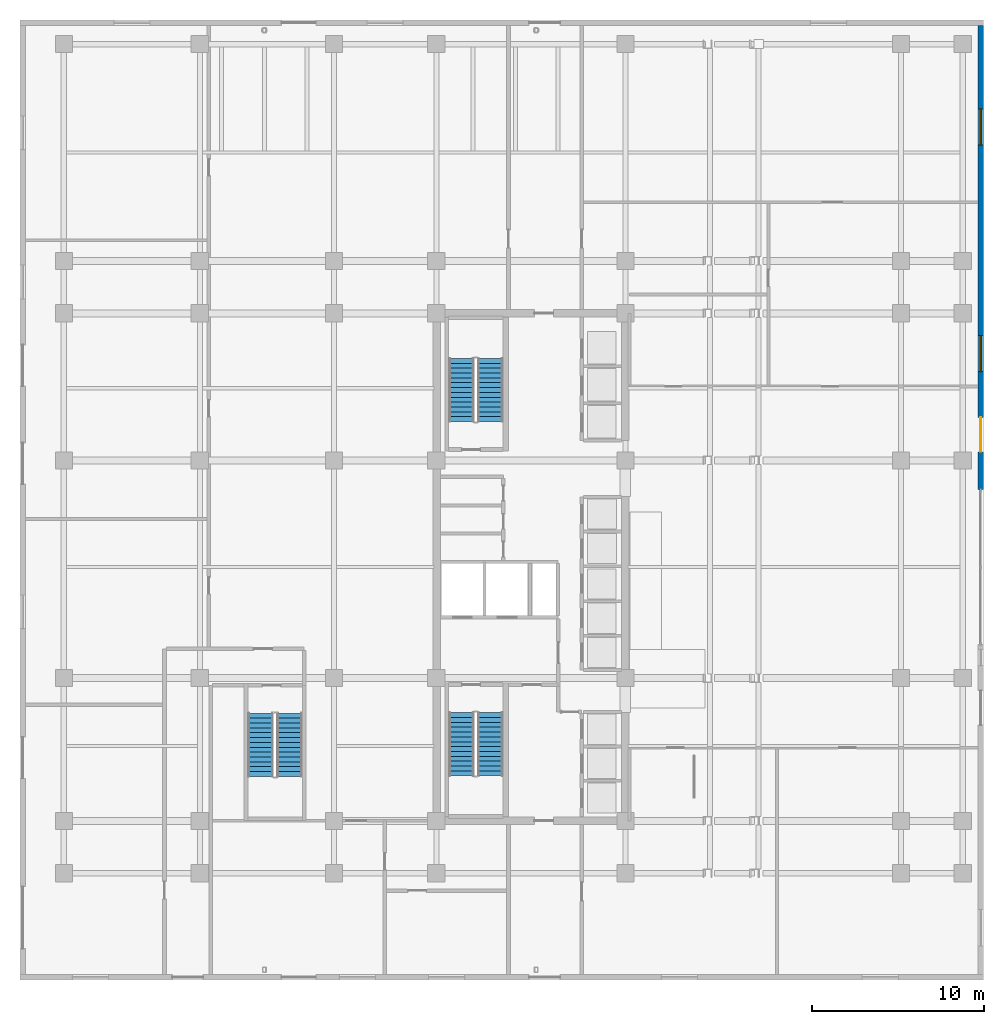
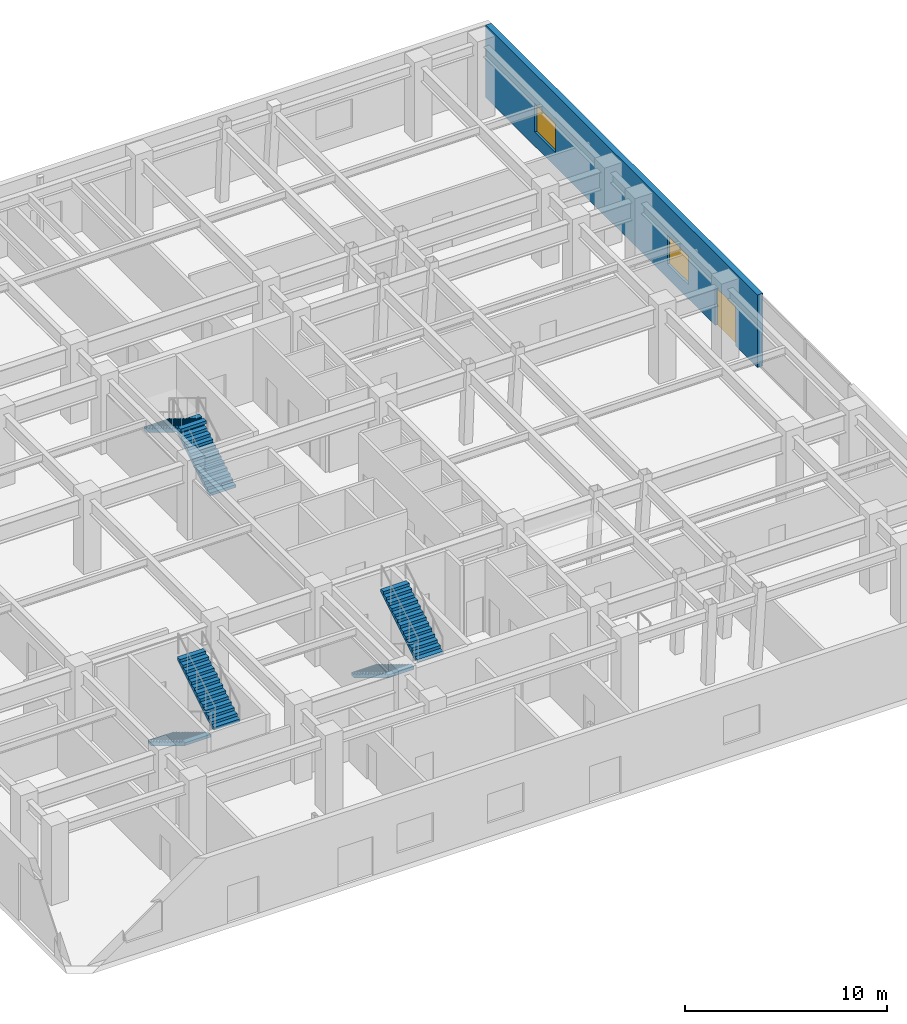
# One storey, part 11 of 13: 6 stair flights, 2 windows, 1 door, 1 wall, 3 openings, 3 elements without a shape of their own.
"""IFC4 building model written with IfcOpenShell, lengths in metres."""

from ifc_helpers import new_model, si_unit, direction, frame, frame_2d, origin, place, context, subcontext, project, spatial, polyline, rectangle, outline, extrude, material, layer, layer_set, type_object, element, fill, aggregate, save


model = new_model("IFC4")

# Units and contexts
model_context = context("Model", 3, precision=1e-05, world=origin(), true_north=direction((0.0, 1.0)))
body_context = subcontext(model_context, "Body", "Model", "MODEL_VIEW")
ifc_project = project(units=[si_unit("LENGTHUNIT", "METRE"), si_unit("AREAUNIT", "SQUARE_METRE"), si_unit("VOLUMEUNIT", "CUBIC_METRE"), si_unit("PLANEANGLEUNIT", "RADIAN"), si_unit("MASSUNIT", "GRAM", prefix="KILO")], contexts=[model_context])

# Site, building, storey
site_placement = place(None, origin())
site = spatial("IfcSite", under=ifc_project, at=site_placement, CompositionType="ELEMENT")
building_placement = place(site_placement, origin())
building = spatial("IfcBuilding", under=site, at=building_placement, Name="Ochreholt Gables", CompositionType="ELEMENT")
storey_placement = place(building_placement, origin())
storey = spatial("IfcBuildingStorey", under=building, at=storey_placement, Name="L00", CompositionType="ELEMENT", Elevation=0.0)

# Wall, openings, door, windows
ifc_material_1 = material(Name="Precast concrete 40 MPa", Category="concrete")
ifc_layer = layer(ifc_material_1, 0.320068359375, Name="Precast concrete 40 MPa")
ifc_layer_set = layer_set([ifc_layer], Name="Precast concrete 40 MPa")
wall_type = type_object("IfcWallType", Name="WALL-EXT-320", PredefinedType="SOLIDWALL", material=ifc_layer_set)
wall_placement = place(storey_placement, frame((55.840087890625, 28.5, 0.0), z_axis=(0.0, 0.0, 1.0), x_axis=(0.0, 1.0, 0.0)))
wall = element("IfcWall", 1, at=wall_placement, inside=storey, type_object=wall_type, Name="L00 North-East Exterior Wall", PredefinedType="SOLIDWALL", context=body_context, shape_type="SweptSolid", body=[
    extrude(rectangle(XDim=26.97998046875, YDim=0.320068359375, at=frame_2d((13.489990234375, 0.0))), origin(), (0.0, 0.0, 1.0), 4.389892578125),
])
opening_1_placement = place(wall_placement, frame((2.199951171875, 0.0, 0.0)))
opening_1 = element("IfcOpeningElement", 2, at=opening_1_placement, cuts=wall, Name="Opening D-EX1", PredefinedType="OPENING", context=body_context, shape_type="SweptSolid", body=[
    extrude(rectangle(XDim=2.0, YDim=2.35009765625, at=frame_2d((1.0, 1.175048828125))), frame((0.0, 0.169921875, 0.0), z_axis=(0.0, -1.0, 0.0), x_axis=(1.0, 0.0, 0.0)), (0.0, 0.0, 1.0), 0.340087890625),
])
opening_2_placement = place(wall_placement, frame((6.85498046875, 0.0, 0.85009765625)))
opening_2 = element("IfcOpeningElement", 3, at=opening_2_placement, cuts=wall, Name="Opening WN-4", PredefinedType="OPENING", context=body_context, shape_type="SweptSolid", body=[
    extrude(rectangle(XDim=2.10009765625, YDim=1.75, at=frame_2d((1.050048828125, 0.875))), frame((0.0, 0.169921875, 0.0), z_axis=(0.0, -1.0, 0.0), x_axis=(1.0, 0.0, 0.0)), (0.0, 0.0, 1.0), 0.340087890625),
])
opening_3_placement = place(wall_placement, frame((20.030029296875, 0.0, 0.85009765625)))
opening_3 = element("IfcOpeningElement", 4, at=opening_3_placement, cuts=wall, Name="Opening WN-4", PredefinedType="OPENING", context=body_context, shape_type="SweptSolid", body=[
    extrude(rectangle(XDim=2.10009765625, YDim=1.75, at=frame_2d((1.050048828125, 0.875))), frame((0.0, 0.169921875, 0.0), z_axis=(0.0, -1.0, 0.0), x_axis=(1.0, 0.0, 0.0)), (0.0, 0.0, 1.0), 0.340087890625),
])
ifc_material_2 = material(Name="Thermally Broken Insulated Steel and Glass Door", Category="steel")
door_type = type_object("IfcDoorType", Name="DR-EXT-ENT2000", OperationType="NOTDEFINED", PredefinedType="DOOR", material=ifc_material_2)
door_placement = place(opening_1_placement, frame((2.0, 0.0, 0.0), z_axis=(0.0, 0.0, 1.0), x_axis=(-1.0, 0.0, 0.0)))
door = element("IfcDoor", 5, at=door_placement, inside=storey, type_object=door_type, Name="L00 East Main Entrance Door North", OperationType="SINGLE_SWING_RIGHT", OverallHeight=2.35009765625, OverallWidth=2.0, PredefinedType="DOOR", context=body_context, shape_type="SweptSolid", body=[
    extrude(rectangle(XDim=2.0, YDim=2.35009765625, at=frame_2d((1.0, 1.175048828125))), frame((0.0, 0.02490234375, 0.0), z_axis=(0.0, -1.0, 0.0), x_axis=(1.0, 0.0, 0.0)), (0.0, 0.0, 1.0), 0.050048828125),
])
fill(opening_1, door)
ifc_material_3 = material(Name="Triple-Glazed Thermally Broken Aluminium Window", Category="aluminium")
window_type = type_object("IfcWindowType", Name="WIN-CLN-2100", PartitioningType="SINGLE_PANEL", PredefinedType="WINDOW", material=ifc_material_3)
window_1_placement = place(opening_2_placement, origin())
window_1 = element("IfcWindow", 6, at=window_1_placement, inside=storey, type_object=window_type, Name="L00 Window W-EXT-EN-L00-1", OverallHeight=1.75, OverallWidth=2.10009765625, PartitioningType="SINGLE_PANEL", PredefinedType="WINDOW", context=body_context, shape_type="SweptSolid", body=[
    extrude(rectangle(XDim=2.10009765625, YDim=1.75, at=frame_2d((1.050048828125, 0.875))), frame((0.0, 0.030029296875, 0.0), z_axis=(0.0, -1.0, 0.0), x_axis=(1.0, 0.0, 0.0)), (0.0, 0.0, 1.0), 0.06005859375),
])
fill(opening_2, window_1)
window_2_placement = place(opening_3_placement, origin())
window_2 = element("IfcWindow", 7, at=window_2_placement, inside=storey, type_object=window_type, Name="L00 Window W-EXT-EN-L00-2", OverallHeight=1.75, OverallWidth=2.10009765625, PartitioningType="SINGLE_PANEL", PredefinedType="WINDOW", context=body_context, shape_type="SweptSolid", body=[
    extrude(rectangle(XDim=2.10009765625, YDim=1.75, at=frame_2d((1.050048828125, 0.875))), frame((0.0, 0.030029296875, 0.0), z_axis=(0.0, -1.0, 0.0), x_axis=(1.0, 0.0, 0.0)), (0.0, 0.0, 1.0), 0.06005859375),
])
fill(opening_3, window_2)

# Stair, stair flights
ifc_material_4 = material(Name="Concrete 40 MPa", Category="concrete")
stair_type_1 = type_object("IfcStairType", Name="STAIR-CORE-ST-1", PredefinedType="HALF_TURN_STAIR", material=ifc_material_4)
stair_1_placement = place(storey_placement, origin())
stair_1 = element("IfcStair", 8, at=stair_1_placement, inside=storey, type_object=stair_type_1, Name="L00 Core Exit Stair 1", PredefinedType="HALF_TURN_STAIR")
stair_flight_type = type_object("IfcStairFlightType", Name="FLIGHT-ST-1480-1714", PredefinedType="STRAIGHT", material=ifc_material_4)
stair_flight_1_placement = place(storey_placement, frame((25.659912109375, 15.5400390625, 0.0), z_axis=(0.0, 0.0, 1.0), x_axis=(0.0, -1.0, 0.0)))
stair_flight_1 = element("IfcStairFlight", 9, at=stair_flight_1_placement, type_object=stair_flight_type, Name="ST-1 flight 1", NumberOfRisers=14, NumberOfTreads=13, PredefinedType="STRAIGHT", RiserHeight=0.171428571, TreadLength=0.282, context=body_context, shape_type="SweptSolid", body=[
    extrude(outline(polyline([(0.0, 0.0), (0.0, 0.17138671875), (0.281982421875, 0.17138671875), (0.281982421875, 0.3427734375), (0.56396484375, 0.3427734375), (0.56396484375, 0.514404296875), (0.845947265625, 0.514404296875), (0.845947265625, 0.685791015625), (1.1279296875, 0.685791015625), (1.1279296875, 0.857177734375), (1.409912109375, 0.857177734375), (1.409912109375, 1.028564453125), (1.69189453125, 1.028564453125), (1.69189453125, 1.199951171875), (1.97412109375, 1.199951171875), (1.97412109375, 1.371337890625), (2.256103515625, 1.371337890625), (2.256103515625, 1.54296875), (2.5380859375, 1.54296875), (2.5380859375, 1.71435546875), (2.820068359375, 1.71435546875), (2.820068359375, 1.8857421875), (3.10205078125, 1.8857421875), (3.10205078125, 2.05712890625), (3.384033203125, 2.05712890625), (3.384033203125, 2.228515625), (3.666015625, 2.228515625), (3.666015625, 2.39990234375), (3.666015625, 2.05322265625), (0.28857421875, 0.0), (0.0, 0.0)])), frame((0.0, 0.739990234375, 0.0), z_axis=(0.0, -1.0, 0.0), x_axis=(1.0, 0.0, 0.0)), (0.0, 0.0, 1.0), 1.47998046875),
])
stair_flight_2_placement = place(storey_placement, frame((27.340087890625, 11.8740234375, 2.39990234375), z_axis=(0.0, 0.0, 1.0), x_axis=(0.0, 1.0, 0.0)))
stair_flight_2 = element("IfcStairFlight", 10, at=stair_flight_2_placement, type_object=stair_flight_type, Name="ST-1 flight 2", NumberOfRisers=14, NumberOfTreads=13, PredefinedType="STRAIGHT", RiserHeight=0.171428571, TreadLength=0.282, context=body_context, shape_type="SweptSolid", body=[
    extrude(outline(polyline([(0.0, 0.0), (0.0, 0.17138671875), (0.281982421875, 0.17138671875), (0.281982421875, 0.3427734375), (0.56396484375, 0.3427734375), (0.56396484375, 0.514404296875), (0.845947265625, 0.514404296875), (0.845947265625, 0.685791015625), (1.1279296875, 0.685791015625), (1.1279296875, 0.857177734375), (1.409912109375, 0.857177734375), (1.409912109375, 1.028564453125), (1.69189453125, 1.028564453125), (1.69189453125, 1.199951171875), (1.97412109375, 1.199951171875), (1.97412109375, 1.371337890625), (2.256103515625, 1.371337890625), (2.256103515625, 1.54296875), (2.5380859375, 1.54296875), (2.5380859375, 1.71435546875), (2.820068359375, 1.71435546875), (2.820068359375, 1.8857421875), (3.10205078125, 1.8857421875), (3.10205078125, 2.05712890625), (3.384033203125, 2.05712890625), (3.384033203125, 2.228515625), (3.666015625, 2.228515625), (3.666015625, 2.39990234375), (3.666015625, 2.05322265625), (0.28857421875, 0.0), (0.0, 0.0)])), frame((0.0, 0.739990234375, 0.0), z_axis=(0.0, -1.0, 0.0), x_axis=(1.0, 0.0, 0.0)), (0.0, 0.0, 1.0), 1.47998046875),
])
aggregate(stair_1, [stair_flight_1, stair_flight_2])

stair_type_2 = type_object("IfcStairType", Name="STAIR-CORE-ST-2", PredefinedType="HALF_TURN_STAIR", material=ifc_material_4)
stair_2_placement = place(storey_placement, origin())
stair_2 = element("IfcStair", 11, at=stair_2_placement, inside=storey, type_object=stair_type_2, Name="L00 Core Exit Stair 2", PredefinedType="HALF_TURN_STAIR")
stair_flight_3_placement = place(storey_placement, frame((27.340087890625, 32.4599609375, 0.0), z_axis=(0.0, 0.0, 1.0), x_axis=(0.0, 1.0, 0.0)))
stair_flight_3 = element("IfcStairFlight", 12, at=stair_flight_3_placement, type_object=stair_flight_type, Name="ST-2 flight 1", NumberOfRisers=14, NumberOfTreads=13, PredefinedType="STRAIGHT", RiserHeight=0.171428571, TreadLength=0.282, context=body_context, shape_type="SweptSolid", body=[
    extrude(outline(polyline([(0.0, 0.0), (0.0, 0.17138671875), (0.281982421875, 0.17138671875), (0.281982421875, 0.3427734375), (0.56396484375, 0.3427734375), (0.56396484375, 0.514404296875), (0.845947265625, 0.514404296875), (0.845947265625, 0.685791015625), (1.1279296875, 0.685791015625), (1.1279296875, 0.857177734375), (1.409912109375, 0.857177734375), (1.409912109375, 1.028564453125), (1.69189453125, 1.028564453125), (1.69189453125, 1.199951171875), (1.97412109375, 1.199951171875), (1.97412109375, 1.371337890625), (2.256103515625, 1.371337890625), (2.256103515625, 1.54296875), (2.5380859375, 1.54296875), (2.5380859375, 1.71435546875), (2.820068359375, 1.71435546875), (2.820068359375, 1.8857421875), (3.10205078125, 1.8857421875), (3.10205078125, 2.05712890625), (3.384033203125, 2.05712890625), (3.384033203125, 2.228515625), (3.666015625, 2.228515625), (3.666015625, 2.39990234375), (3.666015625, 2.05322265625), (0.28857421875, 0.0), (0.0, 0.0)])), frame((0.0, 0.739990234375, 0.0), z_axis=(0.0, -1.0, 0.0), x_axis=(1.0, 0.0, 0.0)), (0.0, 0.0, 1.0), 1.47998046875),
])
stair_flight_4_placement = place(storey_placement, frame((25.659912109375, 36.1259765625, 2.39990234375), z_axis=(0.0, 0.0, 1.0), x_axis=(0.0, -1.0, 0.0)))
stair_flight_4 = element("IfcStairFlight", 13, at=stair_flight_4_placement, type_object=stair_flight_type, Name="ST-2 flight 2", NumberOfRisers=14, NumberOfTreads=13, PredefinedType="STRAIGHT", RiserHeight=0.171428571, TreadLength=0.282, context=body_context, shape_type="SweptSolid", body=[
    extrude(outline(polyline([(0.0, 0.0), (0.0, 0.17138671875), (0.281982421875, 0.17138671875), (0.281982421875, 0.3427734375), (0.56396484375, 0.3427734375), (0.56396484375, 0.514404296875), (0.845947265625, 0.514404296875), (0.845947265625, 0.685791015625), (1.1279296875, 0.685791015625), (1.1279296875, 0.857177734375), (1.409912109375, 0.857177734375), (1.409912109375, 1.028564453125), (1.69189453125, 1.028564453125), (1.69189453125, 1.199951171875), (1.97412109375, 1.199951171875), (1.97412109375, 1.371337890625), (2.256103515625, 1.371337890625), (2.256103515625, 1.54296875), (2.5380859375, 1.54296875), (2.5380859375, 1.71435546875), (2.820068359375, 1.71435546875), (2.820068359375, 1.8857421875), (3.10205078125, 1.8857421875), (3.10205078125, 2.05712890625), (3.384033203125, 2.05712890625), (3.384033203125, 2.228515625), (3.666015625, 2.228515625), (3.666015625, 2.39990234375), (3.666015625, 2.05322265625), (0.28857421875, 0.0), (0.0, 0.0)])), frame((0.0, 0.739990234375, 0.0), z_axis=(0.0, -1.0, 0.0), x_axis=(1.0, 0.0, 0.0)), (0.0, 0.0, 1.0), 1.47998046875),
])
aggregate(stair_2, [stair_flight_3, stair_flight_4])

stair_type_3 = type_object("IfcStairType", Name="STAIR-CORE-ST-P1", PredefinedType="HALF_TURN_STAIR", material=ifc_material_4)
stair_3_placement = place(storey_placement, origin())
stair_3 = element("IfcStair", 14, at=stair_3_placement, inside=storey, type_object=stair_type_3, Name="L00 Podium Exit Stair 3", PredefinedType="HALF_TURN_STAIR")
stair_flight_5_placement = place(storey_placement, frame((13.989990234375, 15.5, 0.0), z_axis=(0.0, 0.0, 1.0), x_axis=(0.0, -1.0, 0.0)))
stair_flight_5 = element("IfcStairFlight", 15, at=stair_flight_5_placement, type_object=stair_flight_type, Name="ST-P1 flight 1", NumberOfRisers=14, NumberOfTreads=13, PredefinedType="STRAIGHT", RiserHeight=0.171428571, TreadLength=0.282, context=body_context, shape_type="SweptSolid", body=[
    extrude(outline(polyline([(0.0, 0.0), (0.0, 0.17138671875), (0.281982421875, 0.17138671875), (0.281982421875, 0.3427734375), (0.56396484375, 0.3427734375), (0.56396484375, 0.514404296875), (0.845947265625, 0.514404296875), (0.845947265625, 0.685791015625), (1.1279296875, 0.685791015625), (1.1279296875, 0.857177734375), (1.409912109375, 0.857177734375), (1.409912109375, 1.028564453125), (1.69189453125, 1.028564453125), (1.69189453125, 1.199951171875), (1.97412109375, 1.199951171875), (1.97412109375, 1.371337890625), (2.256103515625, 1.371337890625), (2.256103515625, 1.54296875), (2.5380859375, 1.54296875), (2.5380859375, 1.71435546875), (2.820068359375, 1.71435546875), (2.820068359375, 1.8857421875), (3.10205078125, 1.8857421875), (3.10205078125, 2.05712890625), (3.384033203125, 2.05712890625), (3.384033203125, 2.228515625), (3.666015625, 2.228515625), (3.666015625, 2.39990234375), (3.666015625, 2.05322265625), (0.28857421875, 0.0), (0.0, 0.0)])), frame((0.0, 0.739990234375, 0.0), z_axis=(0.0, -1.0, 0.0), x_axis=(1.0, 0.0, 0.0)), (0.0, 0.0, 1.0), 1.47998046875),
])
stair_flight_6_placement = place(storey_placement, frame((15.669921875, 11.833984375, 2.39990234375), z_axis=(0.0, 0.0, 1.0), x_axis=(0.0, 1.0, 0.0)))
stair_flight_6 = element("IfcStairFlight", 16, at=stair_flight_6_placement, type_object=stair_flight_type, Name="ST-P1 flight 2", NumberOfRisers=14, NumberOfTreads=13, PredefinedType="STRAIGHT", RiserHeight=0.171428571, TreadLength=0.282, context=body_context, shape_type="SweptSolid", body=[
    extrude(outline(polyline([(0.0, 0.0), (0.0, 0.17138671875), (0.281982421875, 0.17138671875), (0.281982421875, 0.3427734375), (0.56396484375, 0.3427734375), (0.56396484375, 0.514404296875), (0.845947265625, 0.514404296875), (0.845947265625, 0.685791015625), (1.1279296875, 0.685791015625), (1.1279296875, 0.857177734375), (1.409912109375, 0.857177734375), (1.409912109375, 1.028564453125), (1.69189453125, 1.028564453125), (1.69189453125, 1.199951171875), (1.97412109375, 1.199951171875), (1.97412109375, 1.371337890625), (2.256103515625, 1.371337890625), (2.256103515625, 1.54296875), (2.5380859375, 1.54296875), (2.5380859375, 1.71435546875), (2.820068359375, 1.71435546875), (2.820068359375, 1.8857421875), (3.10205078125, 1.8857421875), (3.10205078125, 2.05712890625), (3.384033203125, 2.05712890625), (3.384033203125, 2.228515625), (3.666015625, 2.228515625), (3.666015625, 2.39990234375), (3.666015625, 2.05322265625), (0.28857421875, 0.0), (0.0, 0.0)])), frame((0.0, 0.739990234375, 0.0), z_axis=(0.0, -1.0, 0.0), x_axis=(1.0, 0.0, 0.0)), (0.0, 0.0, 1.0), 1.47998046875),
])
aggregate(stair_3, [stair_flight_5, stair_flight_6])

save(model, "model.ifc")
